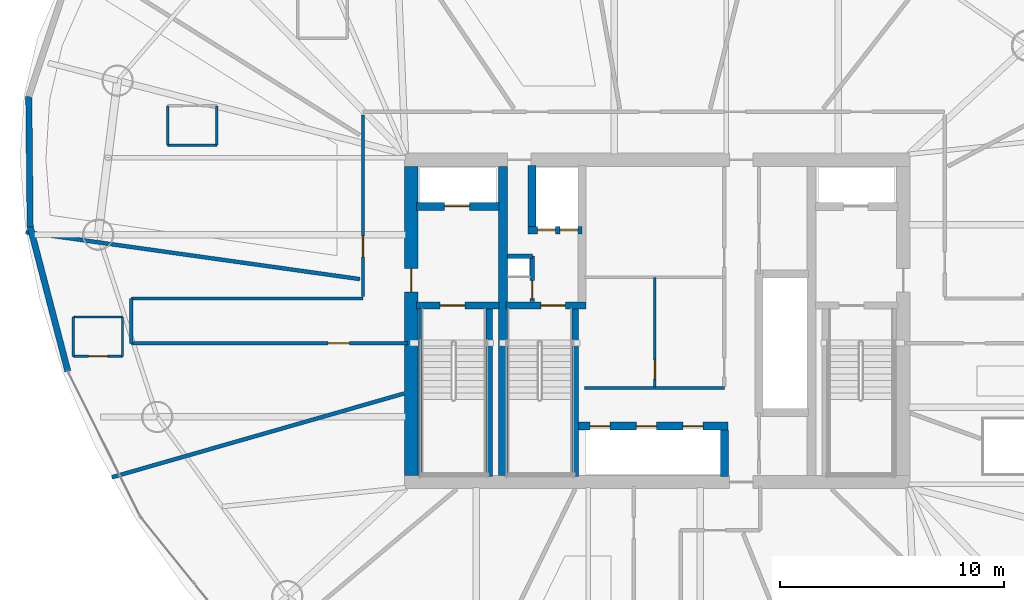
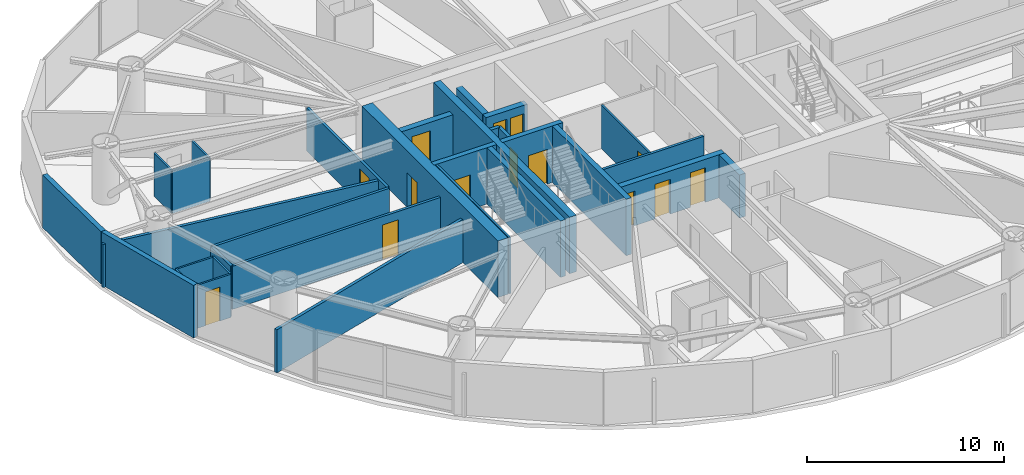
# One storey, part 18 of 24: 31 walls, 14 doors, 14 openings.
"""IFC4 building model written with IfcOpenShell, lengths in metres."""

from ifc_helpers import new_model, si_unit, direction, frame, frame_2d, origin, place, context, subcontext, project, spatial, rectangle, extrude, material, layer, layer_set, type_object, element, fill, save


model = new_model("IFC4")

# Units and contexts
model_context = context("Model", 3, precision=1e-05, world=origin(), true_north=direction((0.0, 1.0)))
body_context = subcontext(model_context, "Body", "Model", "MODEL_VIEW")
ifc_project = project(units=[si_unit("LENGTHUNIT", "METRE"), si_unit("AREAUNIT", "SQUARE_METRE"), si_unit("VOLUMEUNIT", "CUBIC_METRE"), si_unit("PLANEANGLEUNIT", "RADIAN"), si_unit("MASSUNIT", "GRAM", prefix="KILO")], contexts=[model_context])

# Site, building, storey
site_placement = place(None, origin())
site = spatial("IfcSite", under=ifc_project, at=site_placement, CompositionType="ELEMENT")
building_placement = place(site_placement, origin())
building = spatial("IfcBuilding", under=site, at=building_placement, Name="Bramvorn Convention Spire", CompositionType="ELEMENT")
storey_placement = place(building_placement, frame((0.0, 0.0, 148.300048828125)))
storey = spatial("IfcBuildingStorey", under=building, at=storey_placement, Name="L37", CompositionType="ELEMENT", Elevation=148.300048828125)

# Wall, opening, door
ifc_material_1 = material(Name="Concrete C60/70", Category="concrete")
ifc_layer_1 = layer(ifc_material_1, 0.60009765625)
ifc_layer_set_1 = layer_set([ifc_layer_1], Name="Concrete C60/70 - WL-CORE-600")
wall_type_1 = type_object("IfcWallType", Name="WL-CORE-600", PredefinedType="SHEAR", material=ifc_layer_set_1)
wall_1_placement = place(storey_placement, frame((27.0, 19.10009765625, 0.0), z_axis=(0.0, 0.0, 1.0), x_axis=(0.0, 1.0, 0.0)))
wall_1 = element("IfcWall", 1, at=wall_1_placement, inside=storey, type_object=wall_type_1, Name="L37 West RC core shear wall", PredefinedType="SHEAR", context=body_context, shape_type="SweptSolid", body=[
    extrude(rectangle(XDim=13.7998046875, YDim=0.60009765625, at=frame_2d((6.89990234375, 0.0))), origin(), (0.0, 0.0, 1.0), 3.5),
])
opening_1_placement = place(wall_1_placement, frame((8.199951171875, 0.0, 0.0)))
opening_1 = element("IfcOpeningElement", 2, at=opening_1_placement, cuts=wall_1, Name="Opening DL-105", PredefinedType="OPENING", context=body_context, shape_type="SweptSolid", body=[
    extrude(rectangle(XDim=1.050048828125, YDim=2.14990234375, at=frame_2d((0.52490234375, 1.074951171875))), frame((0.0, 0.31005859375, 0.0), z_axis=(0.0, -1.0, 0.0), x_axis=(1.0, 0.0, 0.0)), (0.0, 0.0, 1.0), 0.6201171875),
])
ifc_material_2 = material(Name="Smoke-Sealed Fire Lobby Timber-Core Door", Category="wood")
door_type_1 = type_object("IfcDoorType", Name="DR-LOBBY-1050", OperationType="NOTDEFINED", PredefinedType="DOOR", material=ifc_material_2)
door_1_placement = place(opening_1_placement, origin())
door_1 = element("IfcDoor", 3, at=door_1_placement, inside=storey, type_object=door_type_1, Name="L37 West Firefighting Lobby corridor door", OperationType="SINGLE_SWING_RIGHT", OverallHeight=2.14990234375, OverallWidth=1.050048828125, PredefinedType="DOOR", context=body_context, shape_type="SweptSolid", body=[
    extrude(rectangle(XDim=1.050048828125, YDim=2.14990234375, at=frame_2d((0.52490234375, 1.074951171875))), frame((0.0, 0.02490234375, 0.0), z_axis=(0.0, -1.0, 0.0), x_axis=(1.0, 0.0, 0.0)), (0.0, 0.0, 1.0), 0.050048828125),
])
fill(opening_1, door_1)

ifc_material_3 = material(Name="Concrete C50/60", Category="concrete")
ifc_layer_2 = layer(ifc_material_3, 0.35009765625)
ifc_layer_set_2 = layer_set([ifc_layer_2], Name="Concrete C50/60 - WL-CORE-INT-350")
wall_type_2 = type_object("IfcWallType", Name="WL-CORE-INT-350", PredefinedType="SHEAR", material=ifc_layer_set_2)
wall_2_placement = place(storey_placement, frame((27.25, 31.1201171875, 0.0), z_axis=(0.0, 0.0, 1.0), x_axis=(1.0, 0.0, 0.0)))
wall_2 = element("IfcWall", 4, at=wall_2_placement, inside=storey, type_object=wall_type_2, Name="L37 FE1 shaft front wall", PredefinedType="SHEAR", context=body_context, shape_type="SweptSolid", body=[
    extrude(rectangle(XDim=3.669921875, YDim=0.35009765625, at=frame_2d((1.8349609375, 0.0))), origin(), (0.0, 0.0, 1.0), 2.675048828125),
])
opening_2_placement = place(wall_2_placement, frame((1.25, 0.0, 0.0)))
opening_2 = element("IfcOpeningElement", 5, at=opening_2_placement, cuts=wall_2, Name="Opening LD-110", PredefinedType="OPENING", context=body_context, shape_type="SweptSolid", body=[
    extrude(rectangle(XDim=1.10009765625, YDim=2.14990234375, at=frame_2d((0.550048828125, 1.074951171875))), frame((0.0, 0.18505859375, 0.0), z_axis=(0.0, -1.0, 0.0), x_axis=(1.0, 0.0, 0.0)), (0.0, 0.0, 1.0), 0.3701171875),
])
ifc_material_4 = material(Name="Firefighting & Service Lift Sliding Landing Door", Category="steel")
door_type_2 = type_object("IfcDoorType", Name="DR-LIFT-LD-1100", OperationType="NOTDEFINED", PredefinedType="DOOR", material=ifc_material_4)
door_2_placement = place(opening_2_placement, origin())
door_2 = element("IfcDoor", 6, at=door_2_placement, inside=storey, type_object=door_type_2, Name="L37 Lift FE1 Sliding Landing Door", OperationType="SLIDING_TO_LEFT", OverallHeight=2.14990234375, OverallWidth=1.10009765625, PredefinedType="DOOR", context=body_context, shape_type="SweptSolid", body=[
    extrude(rectangle(XDim=1.10009765625, YDim=2.14990234375, at=frame_2d((0.550048828125, 1.074951171875))), frame((0.0, 0.02490234375, 0.0), z_axis=(0.0, -1.0, 0.0), x_axis=(1.0, 0.0, 0.0)), (0.0, 0.0, 1.0), 0.050048828125),
])
fill(opening_2, door_2)

# Wall, openings, doors
wall_3_placement = place(storey_placement, frame((32.22998046875, 30.050048828125, 0.0), z_axis=(0.0, 0.0, 1.0), x_axis=(1.0, 0.0, 0.0)))
wall_3 = element("IfcWall", 7, at=wall_3_placement, inside=storey, type_object=wall_type_2, Name="L37 SV1/SV2 shaft front wall", PredefinedType="SHEAR", context=body_context, shape_type="SweptSolid", body=[
    extrude(rectangle(XDim=2.409912109375, YDim=0.35009765625, at=frame_2d((1.205078125, 0.0))), origin(), (0.0, 0.0, 1.0), 2.675048828125),
])
opening_3_placement = place(wall_3_placement, frame((0.419921875, 0.0, 0.0)))
opening_3 = element("IfcOpeningElement", 8, at=opening_3_placement, cuts=wall_3, Name="Opening LD-080", PredefinedType="OPENING", context=body_context, shape_type="SweptSolid", body=[
    extrude(rectangle(XDim=0.800048828125, YDim=2.14990234375, at=frame_2d((0.39990234375, 1.074951171875))), frame((0.0, 0.18505859375, 0.0), z_axis=(0.0, -1.0, 0.0), x_axis=(1.0, 0.0, 0.0)), (0.0, 0.0, 1.0), 0.3701171875),
])
opening_4_placement = place(wall_3_placement, frame((1.419921875, 0.0, 0.0)))
opening_4 = element("IfcOpeningElement", 9, at=opening_4_placement, cuts=wall_3, Name="Opening LD-080", PredefinedType="OPENING", context=body_context, shape_type="SweptSolid", body=[
    extrude(rectangle(XDim=0.800048828125, YDim=2.14990234375, at=frame_2d((0.39990234375, 1.074951171875))), frame((0.0, 0.18505859375, 0.0), z_axis=(0.0, -1.0, 0.0), x_axis=(1.0, 0.0, 0.0)), (0.0, 0.0, 1.0), 0.3701171875),
])
ifc_material_5 = material(Name="Service Lift Bi-Parting Landing Door", Category="steel")
door_type_3 = type_object("IfcDoorType", Name="DR-LIFT-LD-800", OperationType="NOTDEFINED", PredefinedType="DOOR", material=ifc_material_5)
door_3_placement = place(opening_3_placement, origin())
door_3 = element("IfcDoor", 10, at=door_3_placement, inside=storey, type_object=door_type_3, Name="L37 Lift SV1 Sliding Landing Door", OperationType="SLIDING_TO_LEFT", OverallHeight=2.14990234375, OverallWidth=0.800048828125, PredefinedType="DOOR", context=body_context, shape_type="SweptSolid", body=[
    extrude(rectangle(XDim=0.800048828125, YDim=2.14990234375, at=frame_2d((0.39990234375, 1.074951171875))), frame((0.0, 0.02490234375, 0.0), z_axis=(0.0, -1.0, 0.0), x_axis=(1.0, 0.0, 0.0)), (0.0, 0.0, 1.0), 0.050048828125),
])
fill(opening_3, door_3)
door_4_placement = place(opening_4_placement, origin())
door_4 = element("IfcDoor", 11, at=door_4_placement, inside=storey, type_object=door_type_3, Name="L37 Lift SV2 Sliding Landing Door", OperationType="SLIDING_TO_LEFT", OverallHeight=2.14990234375, OverallWidth=0.800048828125, PredefinedType="DOOR", context=body_context, shape_type="SweptSolid", body=[
    extrude(rectangle(XDim=0.800048828125, YDim=2.14990234375, at=frame_2d((0.39990234375, 1.074951171875))), frame((0.0, 0.02490234375, 0.0), z_axis=(0.0, -1.0, 0.0), x_axis=(1.0, 0.0, 0.0)), (0.0, 0.0, 1.0), 0.050048828125),
])
fill(opening_4, door_4)

# Wall
wall_4_placement = place(storey_placement, frame((32.39990234375, 30.219970703125, 0.0), z_axis=(0.0, 0.0, 1.0), x_axis=(0.0, 1.0, 0.0)))
element("IfcWall", 12, at=wall_4_placement, inside=storey, type_object=wall_type_2, Name="L37 SV1 west hoistway wall", PredefinedType="SHEAR", context=body_context, shape_type="SweptSolid", body=[
    extrude(rectangle(XDim=2.72998046875, YDim=0.35009765625, at=frame_2d((1.364990234375, 0.0))), origin(), (0.0, 0.0, 1.0), 2.675048828125),
])

# Wall, openings, doors
wall_5_placement = place(storey_placement, frame((34.489990234375, 21.300048828125, 0.0), z_axis=(0.0, 0.0, 1.0), x_axis=(1.0, 0.0, 0.0)))
wall_5 = element("IfcWall", 13, at=wall_5_placement, inside=storey, type_object=wall_type_2, Name="L37 Mid-rise bank north landing wall", PredefinedType="SHEAR", context=body_context, shape_type="SweptSolid", body=[
    extrude(rectangle(XDim=6.679931640625, YDim=0.35009765625, at=frame_2d((3.33984375, 0.0))), origin(), (0.0, 0.0, 1.0), 2.675048828125),
])
opening_5_placement = place(wall_5_placement, frame((0.5, 0.0, 0.0)))
opening_5 = element("IfcOpeningElement", 14, at=opening_5_placement, cuts=wall_5, Name="Opening LD-090", PredefinedType="OPENING", context=body_context, shape_type="SweptSolid", body=[
    extrude(rectangle(XDim=0.89990234375, YDim=2.14990234375, at=frame_2d((0.449951171875, 1.074951171875))), frame((0.0, 0.18505859375, 0.0), z_axis=(0.0, -1.0, 0.0), x_axis=(1.0, 0.0, 0.0)), (0.0, 0.0, 1.0), 0.3701171875),
])
opening_6_placement = place(wall_5_placement, frame((2.580078125, 0.0, 0.0)))
opening_6 = element("IfcOpeningElement", 15, at=opening_6_placement, cuts=wall_5, Name="Opening LD-090", PredefinedType="OPENING", context=body_context, shape_type="SweptSolid", body=[
    extrude(rectangle(XDim=0.89990234375, YDim=2.14990234375, at=frame_2d((0.449951171875, 1.074951171875))), frame((0.0, 0.18505859375, 0.0), z_axis=(0.0, -1.0, 0.0), x_axis=(1.0, 0.0, 0.0)), (0.0, 0.0, 1.0), 0.3701171875),
])
opening_7_placement = place(wall_5_placement, frame((4.659912109375, 0.0, 0.0)))
opening_7 = element("IfcOpeningElement", 16, at=opening_7_placement, cuts=wall_5, Name="Opening LD-090", PredefinedType="OPENING", context=body_context, shape_type="SweptSolid", body=[
    extrude(rectangle(XDim=0.89990234375, YDim=2.14990234375, at=frame_2d((0.449951171875, 1.074951171875))), frame((0.0, 0.18505859375, 0.0), z_axis=(0.0, -1.0, 0.0), x_axis=(1.0, 0.0, 0.0)), (0.0, 0.0, 1.0), 0.3701171875),
])
ifc_material_6 = material(Name="Bi-Parting Fire-Rated Lift Landing Door", Category="steel")
door_type_4 = type_object("IfcDoorType", Name="DR-LIFT-LD-900", OperationType="NOTDEFINED", PredefinedType="DOOR", material=ifc_material_6)
door_5_placement = place(opening_5_placement, origin())
door_5 = element("IfcDoor", 17, at=door_5_placement, inside=storey, type_object=door_type_4, Name="L37 Lift PM1 Sliding Landing Door", OperationType="SLIDING_TO_LEFT", OverallHeight=2.14990234375, OverallWidth=0.89990234375, PredefinedType="DOOR", context=body_context, shape_type="SweptSolid", body=[
    extrude(rectangle(XDim=0.89990234375, YDim=2.14990234375, at=frame_2d((0.449951171875, 1.074951171875))), frame((0.0, 0.02490234375, 0.0), z_axis=(0.0, -1.0, 0.0), x_axis=(1.0, 0.0, 0.0)), (0.0, 0.0, 1.0), 0.050048828125),
])
fill(opening_5, door_5)
door_6_placement = place(opening_6_placement, origin())
door_6 = element("IfcDoor", 18, at=door_6_placement, inside=storey, type_object=door_type_4, Name="L37 Lift PM2 Sliding Landing Door", OperationType="SLIDING_TO_LEFT", OverallHeight=2.14990234375, OverallWidth=0.89990234375, PredefinedType="DOOR", context=body_context, shape_type="SweptSolid", body=[
    extrude(rectangle(XDim=0.89990234375, YDim=2.14990234375, at=frame_2d((0.449951171875, 1.074951171875))), frame((0.0, 0.02490234375, 0.0), z_axis=(0.0, -1.0, 0.0), x_axis=(1.0, 0.0, 0.0)), (0.0, 0.0, 1.0), 0.050048828125),
])
fill(opening_6, door_6)
door_7_placement = place(opening_7_placement, origin())
door_7 = element("IfcDoor", 19, at=door_7_placement, inside=storey, type_object=door_type_4, Name="L37 Lift PM3 Sliding Landing Door", OperationType="SLIDING_TO_LEFT", OverallHeight=2.14990234375, OverallWidth=0.89990234375, PredefinedType="DOOR", context=body_context, shape_type="SweptSolid", body=[
    extrude(rectangle(XDim=0.89990234375, YDim=2.14990234375, at=frame_2d((0.449951171875, 1.074951171875))), frame((0.0, 0.02490234375, 0.0), z_axis=(0.0, -1.0, 0.0), x_axis=(1.0, 0.0, 0.0)), (0.0, 0.0, 1.0), 0.050048828125),
])
fill(opening_7, door_7)

# Walls
wall_6_placement = place(storey_placement, frame((41.0, 19.050048828125, 0.0), z_axis=(0.0, 0.0, 1.0), x_axis=(0.0, 1.0, 0.0)))
element("IfcWall", 20, at=wall_6_placement, inside=storey, type_object=wall_type_2, Name="L37 Mid-rise bank east cheek wall", PredefinedType="SHEAR", context=body_context, shape_type="SweptSolid", body=[
    extrude(rectangle(XDim=2.079833984375, YDim=0.35009765625, at=frame_2d((1.0400390625, 0.0))), origin(), (0.0, 0.0, 1.0), 2.675048828125),
])
ifc_layer_3 = layer(ifc_material_1, 0.39990234375)
ifc_layer_set_3 = layer_set([ifc_layer_3], Name="Concrete C60/70 - WL-CORE-INT-400")
wall_type_3 = type_object("IfcWallType", Name="WL-CORE-INT-400", PredefinedType="SHEAR", material=ifc_layer_set_3)
wall_7_placement = place(storey_placement, frame((31.10009765625, 19.10009765625, 0.0), z_axis=(0.0, 0.0, 1.0), x_axis=(0.0, 1.0, 0.0)))
element("IfcWall", 21, at=wall_7_placement, inside=storey, type_object=wall_type_3, Name="L37 West internal core shear web", PredefinedType="SHEAR", context=body_context, shape_type="SweptSolid", body=[
    extrude(rectangle(XDim=13.7998046875, YDim=0.39990234375, at=frame_2d((6.89990234375, 0.0))), origin(), (0.0, 0.0, 1.0), 3.5),
])
ifc_material_7 = material(Name="Precast Concrete C40/50 with Bronze Terracotta Rainscreen", Category="masonry")
ifc_layer_4 = layer(ifc_material_7, 0.300048828125)
ifc_layer_set_4 = layer_set([ifc_layer_4], Name="Precast Concrete C40/50 with Bronze Terracotta Rainscreen - WL-EXT-BRONZE-300")
wall_type_4 = type_object("IfcWallType", Name="WL-EXT-BRONZE-300", PredefinedType="SOLIDWALL", material=ifc_layer_set_4)
wall_8_placement = place(storey_placement, frame((9.974853515625, 30.20361328125, 0.0), z_axis=(0.0, 0.0, 1.0), x_axis=(-0.010314349205, 0.999946805685, 0.0)))
element("IfcWall", 22, at=wall_8_placement, inside=storey, type_object=wall_type_4, Name="L37 expressed bronze Gothic lancet pier wall 14", PredefinedType="SOLIDWALL", context=body_context, shape_type="SweptSolid", body=[
    extrude(rectangle(XDim=5.82275390625, YDim=0.280029296875, at=frame_2d((2.911376953125, 0.0))), origin(), (0.0, 0.0, 1.0), 3.260009765625),
])
wall_9_placement = place(storey_placement, frame((11.6591796875, 23.7548828125, 0.0), z_axis=(0.0, 0.0, 1.0), x_axis=(-0.252709673809, 0.967542154515, 0.0)))
element("IfcWall", 23, at=wall_9_placement, inside=storey, type_object=wall_type_4, Name="L37 expressed bronze Gothic lancet pier wall 15", PredefinedType="SOLIDWALL", context=body_context, shape_type="SweptSolid", body=[
    extrude(rectangle(XDim=6.6650390625, YDim=0.280029296875, at=frame_2d((3.33251953125, 0.0))), origin(), (0.0, 0.0, 1.0), 3.260009765625),
])

# Wall, opening, door
ifc_material_8 = material(Name="Lightweight En-Suite & Wet-Wall Partition", Category="gypsum")
ifc_layer_5 = layer(ifc_material_8, 0.110107421875)
ifc_layer_set_5 = layer_set([ifc_layer_5], Name="Lightweight En-Suite & Wet-Wall Partition - WL-PART-110")
wall_type_5 = type_object("IfcWallType", Name="WL-PART-110", PredefinedType="PARTITIONING", material=ifc_layer_set_5)
wall_10_placement = place(storey_placement, frame((37.89990234375, 23.050048828125, 0.0), z_axis=(0.0, 0.0, 1.0), x_axis=(0.0, 1.0, 0.0)))
wall_10 = element("IfcWall", 24, at=wall_10_placement, inside=storey, type_object=wall_type_5, Name="L37 KA restroom subwall", PredefinedType="PARTITIONING", context=body_context, shape_type="SweptSolid", body=[
    extrude(rectangle(XDim=4.89990234375, YDim=0.110107421875, at=frame_2d((2.449951171875, 0.0))), origin(), (0.0, 0.0, 1.0), 2.675048828125),
])
opening_8_placement = place(wall_10_placement, frame((0.35009765625, 0.0, 0.0)))
opening_8 = element("IfcOpeningElement", 25, at=opening_8_placement, cuts=wall_10, Name="Opening DC-085", PredefinedType="OPENING", context=body_context, shape_type="SweptSolid", body=[
    extrude(rectangle(XDim=0.85009765625, YDim=2.10009765625, at=frame_2d((0.425048828125, 1.050048828125))), frame((0.0, 0.06494140625, 0.0), z_axis=(0.0, -1.0, 0.0), x_axis=(1.0, 0.0, 0.0)), (0.0, 0.0, 1.0), 0.130126953125),
])
ifc_material_9 = material(Name="Fire-Rated Core Washroom & IDF Door", Category="wood")
door_type_5 = type_object("IfcDoorType", Name="DR-CORE-850", OperationType="NOTDEFINED", PredefinedType="DOOR", material=ifc_material_9)
door_8_placement = place(opening_8_placement, origin())
door_8 = element("IfcDoor", 26, at=door_8_placement, inside=storey, type_object=door_type_5, Name="L37 Core IT Closet door", OperationType="SINGLE_SWING_LEFT", OverallHeight=2.10009765625, OverallWidth=0.85009765625, PredefinedType="DOOR", context=body_context, shape_type="SweptSolid", body=[
    extrude(rectangle(XDim=0.85009765625, YDim=2.10009765625, at=frame_2d((0.425048828125, 1.050048828125))), frame((0.0, 0.02490234375, 0.0), z_axis=(0.0, -1.0, 0.0), x_axis=(1.0, 0.0, 0.0)), (0.0, 0.0, 1.0), 0.050048828125),
])
fill(opening_8, door_8)

# Walls
wall_11_placement = place(storey_placement, frame((16.11669921875, 33.853759765625, 0.0), z_axis=(0.0, 0.0, 1.0), x_axis=(1.0, 0.0, 0.0)))
element("IfcWall", 27, at=wall_11_placement, inside=storey, type_object=wall_type_5, Name="Hotel Suite 3707 en-suite south wall", PredefinedType="PARTITIONING", context=body_context, shape_type="SweptSolid", body=[
    extrude(rectangle(XDim=2.2001953125, YDim=0.110107421875, at=frame_2d((1.10009765625, 0.0))), origin(), (0.0, 0.0, 1.0), 2.675048828125),
])
for number, where, z_axis, x_axis, name in (
    (28, (16.11669921875, 33.853759765625, 0.0), (0.0, 0.0, 1.0), (0.0, 1.0, 0.0), "Hotel Suite 3707 en-suite west wall"),
    (29, (18.31689453125, 33.853759765625, 0.0), (0.0, 0.0, 1.0), (0.0, 1.0, 0.0), "Hotel Suite 3707 en-suite east wall"),
):
    element("IfcWall", number, at=place(storey_placement, frame(where, z_axis=z_axis, x_axis=x_axis)), inside=storey, type_object=wall_type_5, Name=name, PredefinedType="PARTITIONING", context=body_context, shape_type="SweptSolid", body=[
        extrude(rectangle(XDim=1.760009765625, YDim=0.110107421875, at=frame_2d((0.8798828125, 0.0))), origin(), (0.0, 0.0, 1.0), 2.675048828125),
    ])

# Wall, opening, door
wall_12_placement = place(storey_placement, frame((11.9033203125, 24.415283203125, 0.0), z_axis=(0.0, 0.0, 1.0), x_axis=(1.0, 0.0, 0.0)))
wall_12 = element("IfcWall", 30, at=wall_12_placement, inside=storey, type_object=wall_type_5, Name="Hotel Suite 3708 en-suite south wall", PredefinedType="PARTITIONING", context=body_context, shape_type="SweptSolid", body=[
    extrude(rectangle(XDim=2.199951171875, YDim=0.110107421875, at=frame_2d((1.10009765625, 0.0))), origin(), (0.0, 0.0, 1.0), 2.675048828125),
])
opening_9_placement = place(wall_12_placement, frame((0.679931640625, 0.0, 0.0)))
opening_9 = element("IfcOpeningElement", 31, at=opening_9_placement, cuts=wall_12, Name="Opening DI-085", PredefinedType="OPENING", context=body_context, shape_type="SweptSolid", body=[
    extrude(rectangle(XDim=0.85009765625, YDim=2.10009765625, at=frame_2d((0.425048828125, 1.050048828125))), frame((0.0, 0.06494140625, 0.0), z_axis=(0.0, -1.0, 0.0), x_axis=(1.0, 0.0, 0.0)), (0.0, 0.0, 1.0), 0.130126953125),
])
ifc_material_10 = material(Name="En-Suite & Restroom Privacy Door", Category="wood")
door_type_6 = type_object("IfcDoorType", Name="DR-INT-850", OperationType="NOTDEFINED", PredefinedType="DOOR", material=ifc_material_10)
door_9_placement = place(opening_9_placement, origin())
door_9 = element("IfcDoor", 32, at=door_9_placement, inside=storey, type_object=door_type_6, Name="Hotel Suite 3708 En-Suite Bathroom door", OperationType="SINGLE_SWING_LEFT", OverallHeight=2.10009765625, OverallWidth=0.85009765625, PredefinedType="DOOR", context=body_context, shape_type="SweptSolid", body=[
    extrude(rectangle(XDim=0.85009765625, YDim=2.10009765625, at=frame_2d((0.425048828125, 1.050048828125))), frame((0.0, 0.02490234375, 0.0), z_axis=(0.0, -1.0, 0.0), x_axis=(1.0, 0.0, 0.0)), (0.0, 0.0, 1.0), 0.050048828125),
])
fill(opening_9, door_9)

# Walls
wall_13_placement = place(storey_placement, frame((11.9033203125, 26.17529296875, 0.0), z_axis=(0.0, 0.0, 1.0), x_axis=(1.0, 0.0, 0.0)))
element("IfcWall", 33, at=wall_13_placement, inside=storey, type_object=wall_type_5, Name="Hotel Suite 3708 en-suite north wall", PredefinedType="PARTITIONING", context=body_context, shape_type="SweptSolid", body=[
    extrude(rectangle(XDim=2.199951171875, YDim=0.110107421875, at=frame_2d((1.10009765625, 0.0))), origin(), (0.0, 0.0, 1.0), 2.675048828125),
])
for number, where, z_axis, x_axis, name in (
    (34, (11.9033203125, 24.415283203125, 0.0), (0.0, 0.0, 1.0), (0.0, 1.0, 0.0), "Hotel Suite 3708 en-suite west wall"),
    (35, (14.103271484375, 24.415283203125, 0.0), (0.0, 0.0, 1.0), (0.0, 1.0, 0.0), "Hotel Suite 3708 en-suite east wall"),
):
    element("IfcWall", number, at=place(storey_placement, frame(where, z_axis=z_axis, x_axis=x_axis)), inside=storey, type_object=wall_type_5, Name=name, PredefinedType="PARTITIONING", context=body_context, shape_type="SweptSolid", body=[
        extrude(rectangle(XDim=1.760009765625, YDim=0.110107421875, at=frame_2d((0.8798828125, 0.0))), origin(), (0.0, 0.0, 1.0), 2.675048828125),
    ])
ifc_material_11 = material(Name="Acoustic Metal-Stud Tenant/Corridor Partition", Category="gypsum")
ifc_layer_6 = layer(ifc_material_11, 0.14990234375)
ifc_layer_set_6 = layer_set([ifc_layer_6], Name="Acoustic Metal-Stud Tenant/Corridor Partition - WL-PART-150")
wall_type_6 = type_object("IfcWallType", Name="WL-PART-150", PredefinedType="PARTITIONING", material=ifc_layer_set_6)
wall_14_placement = place(storey_placement, frame((34.75, 23.0, 0.0), z_axis=(0.0, 0.0, 1.0), x_axis=(1.0, 0.0, 0.0)))
element("IfcWall", 36, at=wall_14_placement, inside=storey, type_object=wall_type_6, Name="L37 Mid-rise lift vestibule north wall", PredefinedType="PARTITIONING", context=body_context, shape_type="SweptSolid", body=[
    extrude(rectangle(XDim=6.25, YDim=0.14990234375, at=frame_2d((3.125, 0.0))), origin(), (0.0, 0.0, 1.0), 2.675048828125),
])

# Wall, opening, door
wall_15_placement = place(storey_placement, frame((24.85009765625, 27.080078125, 0.0), z_axis=(0.0, 0.0, 1.0), x_axis=(0.0, 1.0, 0.0)))
wall_15 = element("IfcWall", 37, at=wall_15_placement, inside=storey, type_object=wall_type_6, Name="L37 NW gallery cheek", PredefinedType="PARTITIONING", context=body_context, shape_type="SweptSolid", body=[
    extrude(rectangle(XDim=8.119873046875, YDim=0.14990234375, at=frame_2d((4.06005859375, 0.0))), origin(), (0.0, 0.0, 1.0), 2.675048828125),
])
opening_10_placement = place(wall_15_placement, frame((1.77001953125, 0.0, 0.0)))
opening_10 = element("IfcOpeningElement", 38, at=opening_10_placement, cuts=wall_15, Name="Opening DH-095", PredefinedType="OPENING", context=body_context, shape_type="SweptSolid", body=[
    extrude(rectangle(XDim=0.949951171875, YDim=2.14990234375, at=frame_2d((0.47509765625, 1.074951171875))), frame((0.0, 0.0849609375, 0.0), z_axis=(0.0, -1.0, 0.0), x_axis=(1.0, 0.0, 0.0)), (0.0, 0.0, 1.0), 0.169921875),
])
ifc_material_12 = material(Name="Solid-Core Acoustic Guestroom Entry Door", Category="wood")
door_type_7 = type_object("IfcDoorType", Name="DR-HOTEL-950", OperationType="NOTDEFINED", PredefinedType="DOOR", material=ifc_material_12)
door_10_placement = place(opening_10_placement, origin())
door_10 = element("IfcDoor", 39, at=door_10_placement, inside=storey, type_object=door_type_7, Name="Hotel Suite 3707 entry door", OperationType="SINGLE_SWING_RIGHT", OverallHeight=2.14990234375, OverallWidth=0.949951171875, PredefinedType="DOOR", context=body_context, shape_type="SweptSolid", body=[
    extrude(rectangle(XDim=0.949951171875, YDim=2.14990234375, at=frame_2d((0.47509765625, 1.074951171875))), frame((0.0, 0.02490234375, 0.0), z_axis=(0.0, -1.0, 0.0), x_axis=(1.0, 0.0, 0.0)), (0.0, 0.0, 1.0), 0.050048828125),
])
fill(opening_10, door_10)

# Wall
wall_16_placement = place(storey_placement, frame((14.5, 27.0, 0.0), z_axis=(0.0, 0.0, 1.0), x_axis=(1.0, 0.0, 0.0)))
element("IfcWall", 40, at=wall_16_placement, inside=storey, type_object=wall_type_6, Name="L37 West wing spine north wall", PredefinedType="PARTITIONING", context=body_context, shape_type="SweptSolid", body=[
    extrude(rectangle(XDim=10.35009765625, YDim=0.14990234375, at=frame_2d((5.175048828125, 0.0))), origin(), (0.0, 0.0, 1.0), 2.675048828125),
])

# Wall, opening, door
wall_17_placement = place(storey_placement, frame((14.5, 25.0, 0.0), z_axis=(0.0, 0.0, 1.0), x_axis=(1.0, 0.0, 0.0)))
wall_17 = element("IfcWall", 41, at=wall_17_placement, inside=storey, type_object=wall_type_6, Name="L37 West wing spine south wall", PredefinedType="PARTITIONING", context=body_context, shape_type="SweptSolid", body=[
    extrude(rectangle(XDim=12.35009765625, YDim=0.14990234375, at=frame_2d((6.175048828125, 0.0))), origin(), (0.0, 0.0, 1.0), 2.675048828125),
])
opening_11_placement = place(wall_17_placement, frame((8.78759765625, 0.0, 0.0)))
opening_11 = element("IfcOpeningElement", 42, at=opening_11_placement, cuts=wall_17, Name="Opening DH-095", PredefinedType="OPENING", context=body_context, shape_type="SweptSolid", body=[
    extrude(rectangle(XDim=0.949951171875, YDim=2.14990234375, at=frame_2d((0.47509765625, 1.074951171875))), frame((0.0, 0.0849609375, 0.0), z_axis=(0.0, -1.0, 0.0), x_axis=(1.0, 0.0, 0.0)), (0.0, 0.0, 1.0), 0.169921875),
])
door_11_placement = place(opening_11_placement, origin())
door_11 = element("IfcDoor", 43, at=door_11_placement, inside=storey, type_object=door_type_7, Name="Hotel Suite 3708 entry door", OperationType="SINGLE_SWING_RIGHT", OverallHeight=2.14990234375, OverallWidth=0.949951171875, PredefinedType="DOOR", context=body_context, shape_type="SweptSolid", body=[
    extrude(rectangle(XDim=0.949951171875, YDim=2.14990234375, at=frame_2d((0.47509765625, 1.074951171875))), frame((0.0, 0.02490234375, 0.0), z_axis=(0.0, -1.0, 0.0), x_axis=(1.0, 0.0, 0.0)), (0.0, 0.0, 1.0), 0.050048828125),
])
fill(opening_11, door_11)

# Walls
wall_18_placement = place(storey_placement, frame((14.5, 25.0, 0.0), z_axis=(0.0, 0.0, 1.0), x_axis=(0.0, 1.0, 0.0)))
element("IfcWall", 44, at=wall_18_placement, inside=storey, type_object=wall_type_6, Name="L37 West wing spine end wall", PredefinedType="PARTITIONING", context=body_context, shape_type="SweptSolid", body=[
    extrude(rectangle(XDim=2.0, YDim=0.14990234375, at=frame_2d((1.0, 0.0))), origin(), (0.0, 0.0, 1.0), 2.675048828125),
])
ifc_material_13 = material(Name="Double-Stud Acoustic Hotel/Suite Partition", Category="gypsum")
ifc_layer_7 = layer(ifc_material_13, 0.175048828125)
ifc_layer_set_7 = layer_set([ifc_layer_7], Name="Double-Stud Acoustic Hotel/Suite Partition - WL-PART-175")
wall_type_7 = type_object("IfcWallType", Name="WL-PART-175", PredefinedType="PARTITIONING", material=ifc_layer_set_7)
wall_19_placement = place(storey_placement, frame((24.7099609375, 27.867919921875, 0.0), z_axis=(0.0, 0.0, 1.0), x_axis=(-0.990268434497, 0.139170498453, 0.0)))
element("IfcWall", 45, at=wall_19_placement, inside=storey, type_object=wall_type_7, Name="L37 Guestroom demising wall 8", PredefinedType="PARTITIONING", context=body_context, shape_type="SweptSolid", body=[
    extrude(rectangle(XDim=15.081298828125, YDim=0.175048828125, at=frame_2d((7.54052734375, 0.0))), origin(), (0.0, 0.0, 1.0), 2.675048828125),
])
wall_20_placement = place(storey_placement, frame((26.679931640625, 22.75390625, 0.0), z_axis=(0.0, 0.0, 1.0), x_axis=(-0.96126584255, -0.275622894454, 0.0)))
element("IfcWall", 46, at=wall_20_placement, inside=storey, type_object=wall_type_7, Name="L37 Guestroom demising wall 9", PredefinedType="PARTITIONING", context=body_context, shape_type="SweptSolid", body=[
    extrude(rectangle(XDim=13.5859375, YDim=0.175048828125, at=frame_2d((6.79296875, 0.0))), origin(), (0.0, 0.0, 1.0), 2.675048828125),
])

# Wall, opening, door
ifc_material_14 = material(Name="Gypsum Shaftwall & Rockwool Core Partition", Category="gypsum")
ifc_layer_8 = layer(ifc_material_14, 0.199951171875)
ifc_layer_set_8 = layer_set([ifc_layer_8], Name="Gypsum Shaftwall & Rockwool Core Partition - WL-PART-200-FR")
wall_type_8 = type_object("IfcWallType", Name="WL-PART-200-FR", PredefinedType="PARTITIONING", material=ifc_layer_set_8)
wall_21_placement = place(storey_placement, frame((32.419921875, 26.860107421875, 0.0), z_axis=(0.0, 0.0, 1.0), x_axis=(0.0, 1.0, 0.0)))
wall_21 = element("IfcWall", 47, at=wall_21_placement, inside=storey, type_object=wall_type_8, Name="L37 Telecom riser east wall", PredefinedType="PARTITIONING", context=body_context, shape_type="SweptSolid", body=[
    extrude(rectangle(XDim=2.039794921875, YDim=0.199951171875, at=frame_2d((1.02001953125, 0.0))), origin(), (0.0, 0.0, 1.0), 2.675048828125),
])
opening_12_placement = place(wall_21_placement, frame((0.139892578125, 0.0, 0.0)))
opening_12 = element("IfcOpeningElement", 48, at=opening_12_placement, cuts=wall_21, Name="Opening DR-080", PredefinedType="OPENING", context=body_context, shape_type="SweptSolid", body=[
    extrude(rectangle(XDim=0.800048828125, YDim=2.050048828125, at=frame_2d((0.39990234375, 1.02490234375))), frame((0.0, 0.10986328125, 0.0), z_axis=(0.0, -1.0, 0.0), x_axis=(1.0, 0.0, 0.0)), (0.0, 0.0, 1.0), 0.219970703125),
])
ifc_material_15 = material(Name="Flush Steel Riser Access Door", Category="steel")
door_type_8 = type_object("IfcDoorType", Name="DR-RISER-800", OperationType="NOTDEFINED", PredefinedType="DOOR", material=ifc_material_15)
door_12_placement = place(opening_12_placement, origin())
door_12 = element("IfcDoor", 49, at=door_12_placement, inside=storey, type_object=door_type_8, Name="L37 Telecom riser access door", OperationType="SINGLE_SWING_RIGHT", OverallHeight=2.050048828125, OverallWidth=0.800048828125, PredefinedType="DOOR", context=body_context, shape_type="SweptSolid", body=[
    extrude(rectangle(XDim=0.800048828125, YDim=2.050048828125, at=frame_2d((0.39990234375, 1.02490234375))), frame((0.0, 0.02490234375, 0.0), z_axis=(0.0, -1.0, 0.0), x_axis=(1.0, 0.0, 0.0)), (0.0, 0.0, 1.0), 0.050048828125),
])
fill(opening_12, door_12)

# Wall
wall_22_placement = place(storey_placement, frame((31.300048828125, 28.89990234375, 0.0), z_axis=(0.0, 0.0, 1.0), x_axis=(1.0, 0.0, 0.0)))
element("IfcWall", 50, at=wall_22_placement, inside=storey, type_object=wall_type_8, Name="L37 Telecom riser north wall", PredefinedType="PARTITIONING", context=body_context, shape_type="SweptSolid", body=[
    extrude(rectangle(XDim=1.119873046875, YDim=0.199951171875, at=frame_2d((0.56005859375, 0.0))), origin(), (0.0, 0.0, 1.0), 2.675048828125),
])

# Wall, opening, door
ifc_layer_9 = layer(ifc_material_3, 0.300048828125)
ifc_layer_set_9 = layer_set([ifc_layer_9], Name="Concrete C50/60 - WL-POD-STAIR-300")
wall_type_9 = type_object("IfcWallType", Name="WL-POD-STAIR-300", PredefinedType="SHEAR", material=ifc_layer_set_9)
wall_23_placement = place(storey_placement, frame((27.25, 26.68994140625, 0.0), z_axis=(0.0, 0.0, 1.0), x_axis=(1.0, 0.0, 0.0)))
wall_23 = element("IfcWall", 51, at=wall_23_placement, inside=storey, type_object=wall_type_9, Name="L37 ST1 north fire wall", PredefinedType="SHEAR", context=body_context, shape_type="SweptSolid", body=[
    extrude(rectangle(XDim=3.669921875, YDim=0.300048828125, at=frame_2d((1.8349609375, 0.0))), origin(), (0.0, 0.0, 1.0), 3.5),
])
opening_13_placement = place(wall_23_placement, frame((1.050048828125, 0.0, 0.0)))
opening_13 = element("IfcOpeningElement", 52, at=opening_13_placement, cuts=wall_23, Name="Opening DS-110", PredefinedType="OPENING", context=body_context, shape_type="SweptSolid", body=[
    extrude(rectangle(XDim=1.10009765625, YDim=2.14990234375, at=frame_2d((0.550048828125, 1.074951171875))), frame((0.0, 0.159912109375, 0.0), z_axis=(0.0, -1.0, 0.0), x_axis=(1.0, 0.0, 0.0)), (0.0, 0.0, 1.0), 0.320068359375),
])
ifc_material_16 = material(Name="Fire-Rated Hollow Steel Stairwell Door", Category="steel")
door_type_9 = type_object("IfcDoorType", Name="DR-STAIR-1100", OperationType="NOTDEFINED", PredefinedType="DOOR", material=ifc_material_16)
door_13_placement = place(opening_13_placement, origin())
door_13 = element("IfcDoor", 53, at=door_13_placement, inside=storey, type_object=door_type_9, Name="L37 Stair ST1 fire door", OperationType="SINGLE_SWING_LEFT", OverallHeight=2.14990234375, OverallWidth=1.10009765625, PredefinedType="DOOR", context=body_context, shape_type="SweptSolid", body=[
    extrude(rectangle(XDim=1.10009765625, YDim=2.14990234375, at=frame_2d((0.550048828125, 1.074951171875))), frame((0.0, 0.02490234375, 0.0), z_axis=(0.0, -1.0, 0.0), x_axis=(1.0, 0.0, 0.0)), (0.0, 0.0, 1.0), 0.050048828125),
])
fill(opening_13, door_13)

# Walls
for number, where, z_axis, x_axis, name in (
    (54, (30.489990234375, 19.050048828125, 0.0), (0.0, 0.0, 1.0), (0.0, 1.0, 0.0), "L37 ST1 east bearing wall"),
    (55, (34.340087890625, 19.050048828125, 0.0), (0.0, 0.0, 1.0), (0.0, 1.0, 0.0), "L37 ST3 east bearing wall"),
):
    element("IfcWall", number, at=place(storey_placement, frame(where, z_axis=z_axis, x_axis=x_axis)), inside=storey, type_object=wall_type_9, Name=name, PredefinedType="SHEAR", context=body_context, shape_type="SweptSolid", body=[
        extrude(rectangle(XDim=7.5, YDim=0.300048828125, at=frame_2d((3.75, 0.0))), origin(), (0.0, 0.0, 1.0), 3.5),
    ])

# Wall, opening, door
wall_24_placement = place(storey_placement, frame((31.25, 26.68994140625, 0.0), z_axis=(0.0, 0.0, 1.0), x_axis=(1.0, 0.0, 0.0)))
wall_24 = element("IfcWall", 56, at=wall_24_placement, inside=storey, type_object=wall_type_9, Name="L37 ST3 north lobby wall", PredefinedType="SHEAR", context=body_context, shape_type="SweptSolid", body=[
    extrude(rectangle(XDim=3.56005859375, YDim=0.300048828125, at=frame_2d((1.780029296875, 0.0))), origin(), (0.0, 0.0, 1.0), 3.5),
])
opening_14_placement = place(wall_24_placement, frame((1.550048828125, 0.0, 0.0)))
opening_14 = element("IfcOpeningElement", 57, at=opening_14_placement, cuts=wall_24, Name="Opening DS-110", PredefinedType="OPENING", context=body_context, shape_type="SweptSolid", body=[
    extrude(rectangle(XDim=1.10009765625, YDim=2.14990234375, at=frame_2d((0.550048828125, 1.074951171875))), frame((0.0, 0.159912109375, 0.0), z_axis=(0.0, -1.0, 0.0), x_axis=(1.0, 0.0, 0.0)), (0.0, 0.0, 1.0), 0.320068359375),
])
door_14_placement = place(opening_14_placement, origin())
door_14 = element("IfcDoor", 58, at=door_14_placement, inside=storey, type_object=door_type_9, Name="L37 Stair ST3 fire door", OperationType="SINGLE_SWING_LEFT", OverallHeight=2.14990234375, OverallWidth=1.10009765625, PredefinedType="DOOR", context=body_context, shape_type="SweptSolid", body=[
    extrude(rectangle(XDim=1.10009765625, YDim=2.14990234375, at=frame_2d((0.550048828125, 1.074951171875))), frame((0.0, 0.02490234375, 0.0), z_axis=(0.0, -1.0, 0.0), x_axis=(1.0, 0.0, 0.0)), (0.0, 0.0, 1.0), 0.050048828125),
])
fill(opening_14, door_14)

# Wall
ifc_layer_10 = layer(ifc_material_3, 0.1201171875)
ifc_layer_set_10 = layer_set([ifc_layer_10], Name="Concrete C50/60 - WL-STAIR-RC-120")
wall_type_10 = type_object("IfcWallType", Name="WL-STAIR-RC-120", PredefinedType="SHEAR", material=ifc_layer_set_10)
wall_25_placement = place(storey_placement, frame((27.39501953125, 19.10009765625, 0.0), z_axis=(0.0, 0.0, 1.0), x_axis=(0.0, 1.0, 0.0)))
element("IfcWall", 59, at=wall_25_placement, inside=storey, type_object=wall_type_10, Name="L37 ST1 west bearing shear wall", PredefinedType="SHEAR", context=body_context, shape_type="SweptSolid", body=[
    extrude(rectangle(XDim=7.449951171875, YDim=0.1201171875, at=frame_2d((3.72509765625, 0.0))), origin(), (0.0, 0.0, 1.0), 3.5),
])

save(model, "model.ifc")
